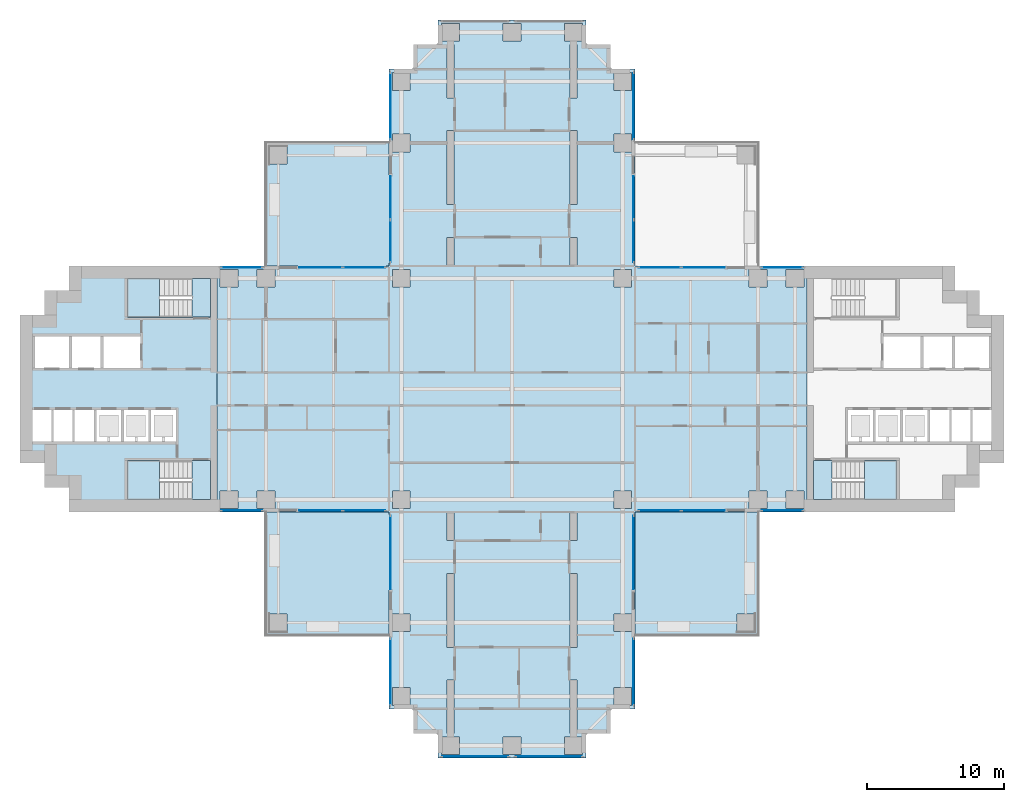
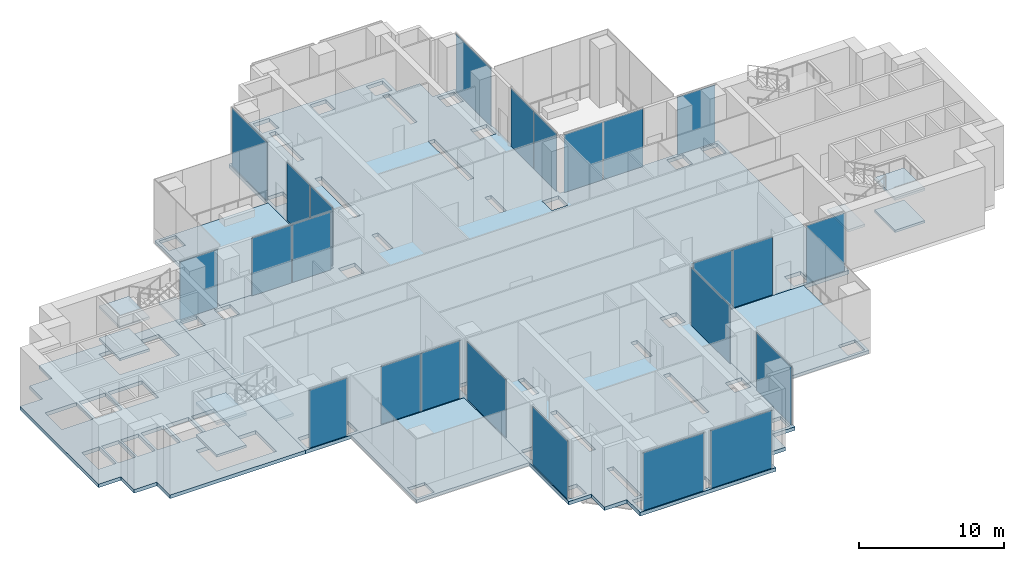
# One storey, part 5 of 17: 24 plates, 14 slabs, 21 elements without a shape of their own.
"""IFC4 building model written with IfcOpenShell, lengths in metres."""

from ifc_helpers import new_model, si_unit, direction, frame, origin, origin_2d, place, context, subcontext, project, spatial, polyline, rectangle, outline, extrude, material, layer, layer_set, type_object, element, aggregate, save


model = new_model("IFC4")

# Units and contexts
model_context = context("Model", 3, precision=1e-05, world=origin(), true_north=direction((0.0, 1.0)))
body_context = subcontext(model_context, "Body", "Model", "MODEL_VIEW")
ifc_project = project(units=[si_unit("LENGTHUNIT", "METRE"), si_unit("AREAUNIT", "SQUARE_METRE"), si_unit("VOLUMEUNIT", "CUBIC_METRE"), si_unit("PLANEANGLEUNIT", "RADIAN"), si_unit("MASSUNIT", "GRAM", prefix="KILO")], contexts=[model_context])

# Site, building, storey
site_placement = place(None, origin())
site = spatial("IfcSite", under=ifc_project, at=site_placement, CompositionType="ELEMENT")
building_placement = place(site_placement, origin())
building = spatial("IfcBuilding", under=site, at=building_placement, Name="Perihelion Cross Residences", CompositionType="ELEMENT")
storey_placement = place(building_placement, frame((0.0, 0.0, 92.5)))
storey = spatial("IfcBuildingStorey", under=building, at=storey_placement, Name="L21", CompositionType="ELEMENT", Elevation=92.5)

# Curtain wall, plate
ifc_material_1 = material(Name="Bronze anodised aluminium, tinted glazing", Category="aluminium")
curtain_wall_type = type_object("IfcCurtainWallType", Name="CW3", PredefinedType="NOTDEFINED", material=ifc_material_1)
curtain_wall_1_placement = place(storey_placement, origin())
curtain_wall_1 = element("IfcCurtainWall", 1, at=curtain_wall_1_placement, inside=storey, type_object=curtain_wall_type, Name="Curtain wall CW3 L21 east side north bay 1", PredefinedType="NOTDEFINED")
ifc_material_2 = material(Name="Tinted laminated glass", Category="glass")
ifc_layer_1 = layer(ifc_material_2, 0.035888671875)
ifc_layer_set_1 = layer_set([ifc_layer_1], Name="CW3 panel")
plate_type = type_object("IfcPlateType", Name="CW3 panel", PredefinedType="CURTAIN_PANEL", material=ifc_layer_set_1)
plate_1_placement = place(storey_placement, frame((19.77490234375, 8.89990234375, 0.0), z_axis=(0.0, 0.0, 1.0), x_axis=(-1.0, 0.0, 0.0)))
plate_1 = element("IfcPlate", 2, at=plate_1_placement, type_object=plate_type, Name="CW3 panel 1", PredefinedType="CURTAIN_PANEL", context=body_context, shape_type="SweptSolid", body=[
    extrude(rectangle(XDim=2.989990234375, YDim=0.035888671875, at=origin_2d()), origin(), (0.0, 0.0, 1.0), 4.8701171875),
])
aggregate(curtain_wall_1, [plate_1])

# Curtain wall, plates
curtain_wall_2_placement = place(storey_placement, origin())
curtain_wall_2 = element("IfcCurtainWall", 3, at=curtain_wall_2_placement, inside=storey, type_object=curtain_wall_type, Name="Curtain wall CW3 L21 east side north bay 2", PredefinedType="NOTDEFINED")
plate_2_placement = place(storey_placement, frame((13.982421875, 8.89990234375, 0.0), z_axis=(0.0, 0.0, 1.0), x_axis=(-1.0, 0.0, 0.0)))
plate_2 = element("IfcPlate", 4, at=plate_2_placement, type_object=plate_type, Name="CW3 panel 1", PredefinedType="CURTAIN_PANEL", context=body_context, shape_type="SweptSolid", body=[
    extrude(rectangle(XDim=3.135009765625, YDim=0.035888671875, at=origin_2d()), origin(), (0.0, 0.0, 1.0), 4.8701171875),
])
plate_3_placement = place(storey_placement, frame((10.8076171875, 8.89990234375, 0.0), z_axis=(0.0, 0.0, 1.0), x_axis=(-1.0, 0.0, 0.0)))
plate_3 = element("IfcPlate", 5, at=plate_3_placement, type_object=plate_type, Name="CW3 panel 2", PredefinedType="CURTAIN_PANEL", context=body_context, shape_type="SweptSolid", body=[
    extrude(rectangle(XDim=3.054931640625, YDim=0.035888671875, at=origin_2d()), origin(), (0.0, 0.0, 1.0), 4.8701171875),
])
aggregate(curtain_wall_2, [plate_2, plate_3])

curtain_wall_3_placement = place(storey_placement, origin())
curtain_wall_3 = element("IfcCurtainWall", 6, at=curtain_wall_3_placement, inside=storey, type_object=curtain_wall_type, Name="Curtain wall CW3 L21 north side east bay 1", PredefinedType="NOTDEFINED")
plate_4_placement = place(storey_placement, frame((8.89990234375, 10.8076171875, 0.0), z_axis=(0.0, 0.0, 1.0), x_axis=(0.0, 1.0, 0.0)))
plate_4 = element("IfcPlate", 7, at=plate_4_placement, type_object=plate_type, Name="CW3 panel 1", PredefinedType="CURTAIN_PANEL", context=body_context, shape_type="SweptSolid", body=[
    extrude(rectangle(XDim=3.054931640625, YDim=0.035888671875, at=origin_2d()), origin(), (0.0, 0.0, 1.0), 4.8701171875),
])
plate_5_placement = place(storey_placement, frame((8.89990234375, 13.982421875, 0.0), z_axis=(0.0, 0.0, 1.0), x_axis=(0.0, 1.0, 0.0)))
plate_5 = element("IfcPlate", 8, at=plate_5_placement, type_object=plate_type, Name="CW3 panel 2", PredefinedType="CURTAIN_PANEL", context=body_context, shape_type="SweptSolid", body=[
    extrude(rectangle(XDim=3.135009765625, YDim=0.035888671875, at=origin_2d()), origin(), (0.0, 0.0, 1.0), 4.8701171875),
])
aggregate(curtain_wall_3, [plate_4, plate_5])

# Curtain wall, plate
curtain_wall_4_placement = place(storey_placement, origin())
curtain_wall_4 = element("IfcCurtainWall", 9, at=curtain_wall_4_placement, inside=storey, type_object=curtain_wall_type, Name="Curtain wall CW3 L21 north side east bay 2", PredefinedType="NOTDEFINED")
plate_6_placement = place(storey_placement, frame((8.89990234375, 20.699951171875, 0.0), z_axis=(0.0, 0.0, 1.0), x_axis=(0.0, 1.0, 0.0)))
plate_6 = element("IfcPlate", 10, at=plate_6_placement, type_object=plate_type, Name="CW3 panel 1", PredefinedType="CURTAIN_PANEL", context=body_context, shape_type="SweptSolid", body=[
    extrude(rectangle(XDim=4.840087890625, YDim=0.035888671875, at=origin_2d()), origin(), (0.0, 0.0, 1.0), 4.8701171875),
])
aggregate(curtain_wall_4, [plate_6])

curtain_wall_5_placement = place(storey_placement, origin())
curtain_wall_5 = element("IfcCurtainWall", 11, at=curtain_wall_5_placement, inside=storey, type_object=curtain_wall_type, Name="Curtain wall CW3 L21 north side west bay 1", PredefinedType="NOTDEFINED")
plate_7_placement = place(storey_placement, frame((-8.89990234375, 20.699951171875, 0.0), z_axis=(0.0, 0.0, 1.0), x_axis=(0.0, -1.0, 0.0)))
plate_7 = element("IfcPlate", 12, at=plate_7_placement, type_object=plate_type, Name="CW3 panel 1", PredefinedType="CURTAIN_PANEL", context=body_context, shape_type="SweptSolid", body=[
    extrude(rectangle(XDim=4.840087890625, YDim=0.035888671875, at=origin_2d()), origin(), (0.0, 0.0, 1.0), 4.8701171875),
])
aggregate(curtain_wall_5, [plate_7])

# Curtain wall, plates
curtain_wall_6_placement = place(storey_placement, origin())
curtain_wall_6 = element("IfcCurtainWall", 13, at=curtain_wall_6_placement, inside=storey, type_object=curtain_wall_type, Name="Curtain wall CW3 L21 north side west bay 2", PredefinedType="NOTDEFINED")
plate_8_placement = place(storey_placement, frame((-8.89990234375, 13.982421875, 0.0), z_axis=(0.0, 0.0, 1.0), x_axis=(0.0, -1.0, 0.0)))
plate_8 = element("IfcPlate", 14, at=plate_8_placement, type_object=plate_type, Name="CW3 panel 1", PredefinedType="CURTAIN_PANEL", context=body_context, shape_type="SweptSolid", body=[
    extrude(rectangle(XDim=3.135009765625, YDim=0.035888671875, at=origin_2d()), origin(), (0.0, 0.0, 1.0), 4.8701171875),
])
plate_9_placement = place(storey_placement, frame((-8.89990234375, 10.8076171875, 0.0), z_axis=(0.0, 0.0, 1.0), x_axis=(0.0, -1.0, 0.0)))
plate_9 = element("IfcPlate", 15, at=plate_9_placement, type_object=plate_type, Name="CW3 panel 2", PredefinedType="CURTAIN_PANEL", context=body_context, shape_type="SweptSolid", body=[
    extrude(rectangle(XDim=3.054931640625, YDim=0.035888671875, at=origin_2d()), origin(), (0.0, 0.0, 1.0), 4.8701171875),
])
aggregate(curtain_wall_6, [plate_8, plate_9])

curtain_wall_7_placement = place(storey_placement, origin())
curtain_wall_7 = element("IfcCurtainWall", 16, at=curtain_wall_7_placement, inside=storey, type_object=curtain_wall_type, Name="Curtain wall CW3 L21 west side north bay 1", PredefinedType="NOTDEFINED")
plate_10_placement = place(storey_placement, frame((-10.8076171875, 8.89990234375, 0.0), z_axis=(0.0, 0.0, 1.0), x_axis=(-1.0, 0.0, 0.0)))
plate_10 = element("IfcPlate", 17, at=plate_10_placement, type_object=plate_type, Name="CW3 panel 1", PredefinedType="CURTAIN_PANEL", context=body_context, shape_type="SweptSolid", body=[
    extrude(rectangle(XDim=3.054931640625, YDim=0.035888671875, at=origin_2d()), origin(), (0.0, 0.0, 1.0), 4.8701171875),
])
plate_11_placement = place(storey_placement, frame((-13.982421875, 8.89990234375, 0.0), z_axis=(0.0, 0.0, 1.0), x_axis=(-1.0, 0.0, 0.0)))
plate_11 = element("IfcPlate", 18, at=plate_11_placement, type_object=plate_type, Name="CW3 panel 2", PredefinedType="CURTAIN_PANEL", context=body_context, shape_type="SweptSolid", body=[
    extrude(rectangle(XDim=3.135009765625, YDim=0.035888671875, at=origin_2d()), origin(), (0.0, 0.0, 1.0), 4.8701171875),
])
aggregate(curtain_wall_7, [plate_10, plate_11])

# Curtain wall, plate
curtain_wall_8_placement = place(storey_placement, origin())
curtain_wall_8 = element("IfcCurtainWall", 19, at=curtain_wall_8_placement, inside=storey, type_object=curtain_wall_type, Name="Curtain wall CW3 L21 west side north bay 2", PredefinedType="NOTDEFINED")
plate_12_placement = place(storey_placement, frame((-19.77490234375, 8.89990234375, 0.0), z_axis=(0.0, 0.0, 1.0), x_axis=(-1.0, 0.0, 0.0)))
plate_12 = element("IfcPlate", 20, at=plate_12_placement, type_object=plate_type, Name="CW3 panel 1", PredefinedType="CURTAIN_PANEL", context=body_context, shape_type="SweptSolid", body=[
    extrude(rectangle(XDim=2.989990234375, YDim=0.035888671875, at=origin_2d()), origin(), (0.0, 0.0, 1.0), 4.8701171875),
])
aggregate(curtain_wall_8, [plate_12])

curtain_wall_9_placement = place(storey_placement, origin())
curtain_wall_9 = element("IfcCurtainWall", 21, at=curtain_wall_9_placement, inside=storey, type_object=curtain_wall_type, Name="Curtain wall CW3 L21 west side south bay 1", PredefinedType="NOTDEFINED")
plate_13_placement = place(storey_placement, frame((-19.77490234375, -8.89990234375, 0.0), z_axis=(0.0, 0.0, 1.0), x_axis=(1.0, 0.0, 0.0)))
plate_13 = element("IfcPlate", 22, at=plate_13_placement, type_object=plate_type, Name="CW3 panel 1", PredefinedType="CURTAIN_PANEL", context=body_context, shape_type="SweptSolid", body=[
    extrude(rectangle(XDim=2.989990234375, YDim=0.035888671875, at=origin_2d()), origin(), (0.0, 0.0, 1.0), 4.8701171875),
])
aggregate(curtain_wall_9, [plate_13])

# Curtain wall, plates
curtain_wall_10_placement = place(storey_placement, origin())
curtain_wall_10 = element("IfcCurtainWall", 23, at=curtain_wall_10_placement, inside=storey, type_object=curtain_wall_type, Name="Curtain wall CW3 L21 west side south bay 2", PredefinedType="NOTDEFINED")
plate_14_placement = place(storey_placement, frame((-13.982421875, -8.89990234375, 0.0), z_axis=(0.0, 0.0, 1.0), x_axis=(1.0, 0.0, 0.0)))
plate_14 = element("IfcPlate", 24, at=plate_14_placement, type_object=plate_type, Name="CW3 panel 1", PredefinedType="CURTAIN_PANEL", context=body_context, shape_type="SweptSolid", body=[
    extrude(rectangle(XDim=3.135009765625, YDim=0.035888671875, at=origin_2d()), origin(), (0.0, 0.0, 1.0), 4.8701171875),
])
plate_15_placement = place(storey_placement, frame((-10.8076171875, -8.89990234375, 0.0), z_axis=(0.0, 0.0, 1.0), x_axis=(1.0, 0.0, 0.0)))
plate_15 = element("IfcPlate", 25, at=plate_15_placement, type_object=plate_type, Name="CW3 panel 2", PredefinedType="CURTAIN_PANEL", context=body_context, shape_type="SweptSolid", body=[
    extrude(rectangle(XDim=3.054931640625, YDim=0.035888671875, at=origin_2d()), origin(), (0.0, 0.0, 1.0), 4.8701171875),
])
aggregate(curtain_wall_10, [plate_14, plate_15])

# Curtain wall, plate
curtain_wall_11_placement = place(storey_placement, origin())
curtain_wall_11 = element("IfcCurtainWall", 26, at=curtain_wall_11_placement, inside=storey, type_object=curtain_wall_type, Name="Curtain wall CW3 L21 south side west bay 1", PredefinedType="NOTDEFINED")
plate_16_placement = place(storey_placement, frame((-8.89990234375, -11.965087890625, 0.0), z_axis=(0.0, 0.0, 1.0), x_axis=(0.0, -1.0, 0.0)))
plate_16 = element("IfcPlate", 27, at=plate_16_placement, type_object=plate_type, Name="CW3 panel 1", PredefinedType="CURTAIN_PANEL", context=body_context, shape_type="SweptSolid", body=[
    extrude(rectangle(XDim=5.3701171875, YDim=0.035888671875, at=origin_2d()), origin(), (0.0, 0.0, 1.0), 4.8701171875),
])
aggregate(curtain_wall_11, [plate_16])

curtain_wall_12_placement = place(storey_placement, origin())
curtain_wall_12 = element("IfcCurtainWall", 28, at=curtain_wall_12_placement, inside=storey, type_object=curtain_wall_type, Name="Curtain wall CW3 L21 south side west bay 2", PredefinedType="NOTDEFINED")
plate_17_placement = place(storey_placement, frame((-8.89990234375, -20.699951171875, 0.0), z_axis=(0.0, 0.0, 1.0), x_axis=(0.0, -1.0, 0.0)))
plate_17 = element("IfcPlate", 29, at=plate_17_placement, type_object=plate_type, Name="CW3 panel 1", PredefinedType="CURTAIN_PANEL", context=body_context, shape_type="SweptSolid", body=[
    extrude(rectangle(XDim=4.840087890625, YDim=0.035888671875, at=origin_2d()), origin(), (0.0, 0.0, 1.0), 4.8701171875),
])
aggregate(curtain_wall_12, [plate_17])

curtain_wall_13_placement = place(storey_placement, origin())
curtain_wall_13 = element("IfcCurtainWall", 30, at=curtain_wall_13_placement, inside=storey, type_object=curtain_wall_type, Name="Curtain wall CW3 L21 south tip south bay 1", PredefinedType="NOTDEFINED")
plate_18_placement = place(storey_placement, frame((-2.699951171875, -26.89990234375, 0.0), z_axis=(0.0, 0.0, 1.0), x_axis=(1.0, 0.0, 0.0)))
plate_18 = element("IfcPlate", 31, at=plate_18_placement, type_object=plate_type, Name="CW3 panel 1", PredefinedType="CURTAIN_PANEL", context=body_context, shape_type="SweptSolid", body=[
    extrude(rectangle(XDim=4.840087890625, YDim=0.035888671875, at=origin_2d()), origin(), (0.0, 0.0, 1.0), 4.8701171875),
])
aggregate(curtain_wall_13, [plate_18])

curtain_wall_14_placement = place(storey_placement, origin())
curtain_wall_14 = element("IfcCurtainWall", 32, at=curtain_wall_14_placement, inside=storey, type_object=curtain_wall_type, Name="Curtain wall CW3 L21 south tip south bay 2", PredefinedType="NOTDEFINED")
plate_19_placement = place(storey_placement, frame((2.699951171875, -26.89990234375, 0.0), z_axis=(0.0, 0.0, 1.0), x_axis=(1.0, 0.0, 0.0)))
plate_19 = element("IfcPlate", 33, at=plate_19_placement, type_object=plate_type, Name="CW3 panel 1", PredefinedType="CURTAIN_PANEL", context=body_context, shape_type="SweptSolid", body=[
    extrude(rectangle(XDim=4.840087890625, YDim=0.035888671875, at=origin_2d()), origin(), (0.0, 0.0, 1.0), 4.8701171875),
])
aggregate(curtain_wall_14, [plate_19])

curtain_wall_15_placement = place(storey_placement, origin())
curtain_wall_15 = element("IfcCurtainWall", 34, at=curtain_wall_15_placement, inside=storey, type_object=curtain_wall_type, Name="Curtain wall CW3 L21 south side east bay 1", PredefinedType="NOTDEFINED")
plate_20_placement = place(storey_placement, frame((8.89990234375, -20.699951171875, 0.0), z_axis=(0.0, 0.0, 1.0), x_axis=(0.0, 1.0, 0.0)))
plate_20 = element("IfcPlate", 35, at=plate_20_placement, type_object=plate_type, Name="CW3 panel 1", PredefinedType="CURTAIN_PANEL", context=body_context, shape_type="SweptSolid", body=[
    extrude(rectangle(XDim=4.840087890625, YDim=0.035888671875, at=origin_2d()), origin(), (0.0, 0.0, 1.0), 4.8701171875),
])
aggregate(curtain_wall_15, [plate_20])

curtain_wall_16_placement = place(storey_placement, origin())
curtain_wall_16 = element("IfcCurtainWall", 36, at=curtain_wall_16_placement, inside=storey, type_object=curtain_wall_type, Name="Curtain wall CW3 L21 south side east bay 2", PredefinedType="NOTDEFINED")
plate_21_placement = place(storey_placement, frame((8.89990234375, -11.965087890625, 0.0), z_axis=(0.0, 0.0, 1.0), x_axis=(0.0, 1.0, 0.0)))
plate_21 = element("IfcPlate", 37, at=plate_21_placement, type_object=plate_type, Name="CW3 panel 1", PredefinedType="CURTAIN_PANEL", context=body_context, shape_type="SweptSolid", body=[
    extrude(rectangle(XDim=5.3701171875, YDim=0.035888671875, at=origin_2d()), origin(), (0.0, 0.0, 1.0), 4.8701171875),
])
aggregate(curtain_wall_16, [plate_21])

# Curtain wall, plates
curtain_wall_17_placement = place(storey_placement, origin())
curtain_wall_17 = element("IfcCurtainWall", 38, at=curtain_wall_17_placement, inside=storey, type_object=curtain_wall_type, Name="Curtain wall CW3 L21 east side south bay 1", PredefinedType="NOTDEFINED")
plate_22_placement = place(storey_placement, frame((10.8076171875, -8.89990234375, 0.0), z_axis=(0.0, 0.0, 1.0), x_axis=(1.0, 0.0, 0.0)))
plate_22 = element("IfcPlate", 39, at=plate_22_placement, type_object=plate_type, Name="CW3 panel 1", PredefinedType="CURTAIN_PANEL", context=body_context, shape_type="SweptSolid", body=[
    extrude(rectangle(XDim=3.054931640625, YDim=0.035888671875, at=origin_2d()), origin(), (0.0, 0.0, 1.0), 4.8701171875),
])
plate_23_placement = place(storey_placement, frame((13.982421875, -8.89990234375, 0.0), z_axis=(0.0, 0.0, 1.0), x_axis=(1.0, 0.0, 0.0)))
plate_23 = element("IfcPlate", 40, at=plate_23_placement, type_object=plate_type, Name="CW3 panel 2", PredefinedType="CURTAIN_PANEL", context=body_context, shape_type="SweptSolid", body=[
    extrude(rectangle(XDim=3.135009765625, YDim=0.035888671875, at=origin_2d()), origin(), (0.0, 0.0, 1.0), 4.8701171875),
])
aggregate(curtain_wall_17, [plate_22, plate_23])

# Curtain wall, plate
curtain_wall_18_placement = place(storey_placement, origin())
curtain_wall_18 = element("IfcCurtainWall", 41, at=curtain_wall_18_placement, inside=storey, type_object=curtain_wall_type, Name="Curtain wall CW3 L21 east side south bay 2", PredefinedType="NOTDEFINED")
plate_24_placement = place(storey_placement, frame((19.77490234375, -8.89990234375, 0.0), z_axis=(0.0, 0.0, 1.0), x_axis=(1.0, 0.0, 0.0)))
plate_24 = element("IfcPlate", 42, at=plate_24_placement, type_object=plate_type, Name="CW3 panel 1", PredefinedType="CURTAIN_PANEL", context=body_context, shape_type="SweptSolid", body=[
    extrude(rectangle(XDim=2.989990234375, YDim=0.035888671875, at=origin_2d()), origin(), (0.0, 0.0, 1.0), 4.8701171875),
])
aggregate(curtain_wall_18, [plate_24])

# Slabs
ifc_material_3 = material(Name="Concrete C40/50", Category="concrete")
ifc_layer_2 = layer(ifc_material_3, 0.300048828125)
ifc_layer_set_2 = layer_set([ifc_layer_2], Name="Core floor slab 300")
slab_type_1 = type_object("IfcSlabType", Name="Core floor slab 300", PredefinedType="FLOOR", material=ifc_layer_set_2)
slab_1_placement = place(storey_placement, frame((0.0, 0.0, -0.300048828125)))
element("IfcSlab", 43, at=slab_1_placement, inside=storey, type_object=slab_type_1, Name="West core floor slab", PredefinedType="FLOOR", context=body_context, shape_type="SweptSolid", body=[
    extrude(outline(polyline([(-32.39990234375, 7.199951171875), (-34.199951171875, 7.199951171875), (-34.199951171875, 5.39990234375), (-36.0, 5.39990234375), (-36.0, -5.39990234375), (-34.199951171875, -5.39990234375), (-34.199951171875, -7.199951171875), (-32.39990234375, -7.199951171875), (-32.39990234375, -9.0), (-21.60009765625, -9.0), (-21.60009765625, 9.0), (-32.39990234375, 9.0), (-32.39990234375, 7.199951171875)]), holes=[polyline([(-23.405029296875, -8.10009765625), (-28.14990234375, -8.10009765625), (-28.14990234375, -5.25), (-23.405029296875, -5.25), (-23.405029296875, -8.10009765625)]), polyline([(-24.60009765625, -1.550048828125), (-24.60009765625, -3.85009765625), (-26.39990234375, -3.85009765625), (-26.39990234375, -1.550048828125), (-24.60009765625, -1.550048828125)]), polyline([(-26.60009765625, -1.550048828125), (-26.60009765625, -3.85009765625), (-28.39990234375, -3.85009765625), (-28.39990234375, -1.550048828125), (-26.60009765625, -1.550048828125)]), polyline([(-30.39990234375, -1.550048828125), (-28.60009765625, -1.550048828125), (-28.60009765625, -3.85009765625), (-30.39990234375, -3.85009765625), (-30.39990234375, -1.550048828125)]), polyline([(-29.89990234375, 3.85009765625), (-27.199951171875, 3.85009765625), (-27.199951171875, 1.550048828125), (-29.89990234375, 1.550048828125), (-29.89990234375, 3.85009765625)]), polyline([(-23.405029296875, 5.25), (-28.14990234375, 5.25), (-28.14990234375, 8.10009765625), (-23.405029296875, 8.10009765625), (-23.405029296875, 5.25)]), polyline([(-32.0, -1.550048828125), (-30.60009765625, -1.550048828125), (-30.60009765625, -3.85009765625), (-32.0, -3.85009765625), (-32.0, -1.550048828125)]), polyline([(-33.550048828125, -1.550048828125), (-32.14990234375, -1.550048828125), (-32.14990234375, -3.85009765625), (-33.550048828125, -3.85009765625), (-33.550048828125, -1.550048828125)]), polyline([(-33.699951171875, -1.550048828125), (-33.699951171875, -3.85009765625), (-35.10009765625, -3.85009765625), (-35.10009765625, -1.550048828125), (-33.699951171875, -1.550048828125)]), polyline([(-32.199951171875, 3.85009765625), (-30.10009765625, 3.85009765625), (-30.10009765625, 1.550048828125), (-32.199951171875, 1.550048828125), (-32.199951171875, 3.85009765625)]), polyline([(-34.89990234375, 3.85009765625), (-32.39990234375, 3.85009765625), (-32.39990234375, 1.550048828125), (-34.89990234375, 1.550048828125), (-34.89990234375, 3.85009765625)])]), origin(), (0.0, 0.0, 1.0), 0.300048828125),
])
ifc_material_4 = material(Name="Concrete C40/50", Category="concrete")
ifc_layer_3 = layer(ifc_material_4, 0.25)
ifc_layer_set_3 = layer_set([ifc_layer_3], Name="Corner terrace slab")
slab_type_2 = type_object("IfcSlabType", Name="Corner terrace slab", PredefinedType="FLOOR", material=ifc_layer_set_3)
slab_2_placement = place(storey_placement, frame((0.0, 0.0, -0.25)))
element("IfcSlab", 44, at=slab_2_placement, inside=storey, type_object=slab_type_2, Name="Slab BK2 L21 pocket north-west", PredefinedType="FLOOR", context=body_context, shape_type="SweptSolid", body=[
    extrude(outline(polyline([(-9.0, 9.0), (-9.0, 18.0), (-18.0, 18.0), (-18.0, 9.0), (-9.0, 9.0)]), holes=[polyline([(-17.7900390625, 16.409912109375), (-17.7900390625, 17.7900390625), (-16.449951171875, 17.7900390625), (-16.449951171875, 16.449951171875), (-17.75, 16.449951171875), (-17.75, 16.409912109375), (-17.7900390625, 16.409912109375)])]), origin(), (0.0, 0.0, 1.0), 0.25),
])
slab_3_placement = place(storey_placement, frame((0.0, 0.0, -0.25)))
element("IfcSlab", 45, at=slab_3_placement, inside=storey, type_object=slab_type_2, Name="Slab BK2 L21 pocket south-west", PredefinedType="FLOOR", context=body_context, shape_type="SweptSolid", body=[
    extrude(outline(polyline([(-9.0, -18.0), (-9.0, -9.0), (-18.0, -9.0), (-18.0, -18.0), (-9.0, -18.0)]), holes=[polyline([(-17.7900390625, -16.409912109375), (-17.75, -16.409912109375), (-17.75, -16.449951171875), (-16.449951171875, -16.449951171875), (-16.449951171875, -17.7900390625), (-17.7900390625, -17.7900390625), (-17.7900390625, -16.409912109375)])]), origin(), (0.0, 0.0, 1.0), 0.25),
])
slab_4_placement = place(storey_placement, frame((0.0, 0.0, -0.25)))
element("IfcSlab", 46, at=slab_4_placement, inside=storey, type_object=slab_type_2, Name="Slab BK2 L21 pocket south-east", PredefinedType="FLOOR", context=body_context, shape_type="SweptSolid", body=[
    extrude(outline(polyline([(18.0, -18.0), (18.0, -9.0), (9.0, -9.0), (9.0, -18.0), (18.0, -18.0)]), holes=[polyline([(16.449951171875, -17.7900390625), (16.449951171875, -16.449951171875), (17.75, -16.449951171875), (17.75, -16.409912109375), (17.7900390625, -16.409912109375), (17.7900390625, -17.7900390625), (16.449951171875, -17.7900390625)])]), origin(), (0.0, 0.0, 1.0), 0.25),
])

# Stair, slabs
ifc_material_5 = material(Name="Concrete C40/50", Category="concrete")
stair_type = type_object("IfcStairType", Name="Exit stair, half-turn", PredefinedType="HALF_TURN_STAIR", material=ifc_material_5)
stair_1_placement = place(storey_placement, origin())
stair_1 = element("IfcStair", 47, at=stair_1_placement, inside=storey, type_object=stair_type, Name="L21 East core exit stair 2", PredefinedType="HALF_TURN_STAIR")
ifc_material_6 = material(Name="Concrete C40/50", Category="concrete")
ifc_layer_4 = layer(ifc_material_6, 0.199951171875)
ifc_layer_set_4 = layer_set([ifc_layer_4], Name="Exit stair landing 200")
slab_type_3 = type_object("IfcSlabType", Name="Exit stair landing 200", PredefinedType="LANDING", material=ifc_layer_set_4)
slab_5_placement = place(storey_placement, frame((0.0, 0.0, 1.14990234375)))
slab_5 = element("IfcSlab", 48, at=slab_5_placement, type_object=slab_type_3, Name="ST-E2 landing 1", PredefinedType="LANDING", context=body_context, shape_type="SweptSolid", body=[
    extrude(outline(polyline([(25.780029296875, -8.10009765625), (28.14990234375, -8.10009765625), (28.14990234375, -5.25), (25.780029296875, -5.25), (25.780029296875, -8.10009765625)])), origin(), (0.0, 0.0, 1.0), 0.2001953125),
])
slab_6_placement = place(storey_placement, frame((0.0, 0.0, 2.5)))
slab_6 = element("IfcSlab", 49, at=slab_6_placement, type_object=slab_type_3, Name="ST-E2 landing 2", PredefinedType="LANDING", context=body_context, shape_type="SweptSolid", body=[
    extrude(outline(polyline([(22.050048828125, -8.10009765625), (23.39990234375, -8.10009765625), (23.39990234375, -5.25), (22.050048828125, -5.25), (22.050048828125, -8.10009765625)])), origin(), (0.0, 0.0, 1.0), 0.199951171875),
])
slab_7_placement = place(storey_placement, frame((0.0, 0.0, 3.85009765625)))
slab_7 = element("IfcSlab", 50, at=slab_7_placement, type_object=slab_type_3, Name="ST-E2 landing 3", PredefinedType="LANDING", context=body_context, shape_type="SweptSolid", body=[
    extrude(outline(polyline([(25.780029296875, -8.10009765625), (28.14990234375, -8.10009765625), (28.14990234375, -5.25), (25.780029296875, -5.25), (25.780029296875, -8.10009765625)])), origin(), (0.0, 0.0, 1.0), 0.199951171875),
])
aggregate(stair_1, [slab_5, slab_6, slab_7])

stair_2_placement = place(storey_placement, origin())
stair_2 = element("IfcStair", 51, at=stair_2_placement, inside=storey, type_object=stair_type, Name="L21 West core exit stair 1", PredefinedType="HALF_TURN_STAIR")
slab_8_placement = place(storey_placement, frame((0.0, 0.0, 1.14990234375)))
slab_8 = element("IfcSlab", 52, at=slab_8_placement, type_object=slab_type_3, Name="ST-W1 landing 1", PredefinedType="LANDING", context=body_context, shape_type="SweptSolid", body=[
    extrude(outline(polyline([(-25.780029296875, 8.10009765625), (-28.14990234375, 8.10009765625), (-28.14990234375, 5.25), (-25.780029296875, 5.25), (-25.780029296875, 8.10009765625)])), origin(), (0.0, 0.0, 1.0), 0.2001953125),
])
slab_9_placement = place(storey_placement, frame((0.0, 0.0, 2.5)))
slab_9 = element("IfcSlab", 53, at=slab_9_placement, type_object=slab_type_3, Name="ST-W1 landing 2", PredefinedType="LANDING", context=body_context, shape_type="SweptSolid", body=[
    extrude(outline(polyline([(-22.050048828125, 8.10009765625), (-23.39990234375, 8.10009765625), (-23.39990234375, 5.25), (-22.050048828125, 5.25), (-22.050048828125, 8.10009765625)])), origin(), (0.0, 0.0, 1.0), 0.199951171875),
])
slab_10_placement = place(storey_placement, frame((0.0, 0.0, 3.85009765625)))
slab_10 = element("IfcSlab", 54, at=slab_10_placement, type_object=slab_type_3, Name="ST-W1 landing 3", PredefinedType="LANDING", context=body_context, shape_type="SweptSolid", body=[
    extrude(outline(polyline([(-25.780029296875, 8.10009765625), (-28.14990234375, 8.10009765625), (-28.14990234375, 5.25), (-25.780029296875, 5.25), (-25.780029296875, 8.10009765625)])), origin(), (0.0, 0.0, 1.0), 0.199951171875),
])
aggregate(stair_2, [slab_8, slab_9, slab_10])

stair_3_placement = place(storey_placement, origin())
stair_3 = element("IfcStair", 55, at=stair_3_placement, inside=storey, type_object=stair_type, Name="L21 West core exit stair 2", PredefinedType="HALF_TURN_STAIR")
slab_11_placement = place(storey_placement, frame((0.0, 0.0, 1.14990234375)))
slab_11 = element("IfcSlab", 56, at=slab_11_placement, type_object=slab_type_3, Name="ST-W2 landing 1", PredefinedType="LANDING", context=body_context, shape_type="SweptSolid", body=[
    extrude(outline(polyline([(-25.780029296875, -5.25), (-28.14990234375, -5.25), (-28.14990234375, -8.10009765625), (-25.780029296875, -8.10009765625), (-25.780029296875, -5.25)])), origin(), (0.0, 0.0, 1.0), 0.2001953125),
])
slab_12_placement = place(storey_placement, frame((0.0, 0.0, 2.5)))
slab_12 = element("IfcSlab", 57, at=slab_12_placement, type_object=slab_type_3, Name="ST-W2 landing 2", PredefinedType="LANDING", context=body_context, shape_type="SweptSolid", body=[
    extrude(outline(polyline([(-22.050048828125, -5.25), (-23.39990234375, -5.25), (-23.39990234375, -8.10009765625), (-22.050048828125, -8.10009765625), (-22.050048828125, -5.25)])), origin(), (0.0, 0.0, 1.0), 0.199951171875),
])
slab_13_placement = place(storey_placement, frame((0.0, 0.0, 3.85009765625)))
slab_13 = element("IfcSlab", 58, at=slab_13_placement, type_object=slab_type_3, Name="ST-W2 landing 3", PredefinedType="LANDING", context=body_context, shape_type="SweptSolid", body=[
    extrude(outline(polyline([(-25.780029296875, -5.25), (-28.14990234375, -5.25), (-28.14990234375, -8.10009765625), (-25.780029296875, -8.10009765625), (-25.780029296875, -5.25)])), origin(), (0.0, 0.0, 1.0), 0.199951171875),
])
aggregate(stair_3, [slab_11, slab_12, slab_13])

# Slab
ifc_material_7 = material(Name="Concrete C50/60", Category="concrete")
ifc_layer_5 = layer(ifc_material_7, 0.300048828125)
ifc_layer_set_5 = layer_set([ifc_layer_5], Name="Sky floor post-tensioned slab concrete C50/60")
slab_type_4 = type_object("IfcSlabType", Name="Sky floor post-tensioned slab concrete C50/60", PredefinedType="FLOOR", material=ifc_layer_set_5)
slab_14_placement = place(storey_placement, frame((0.0, 0.0, -0.300048828125)))
element("IfcSlab", 59, at=slab_14_placement, inside=storey, type_object=slab_type_4, Name="Slab SL9 L21 1 no. 1", PredefinedType="FLOOR", context=body_context, shape_type="SweptSolid", body=[
    extrude(outline(polyline([(-9.0, 9.0), (-9.0, 23.39990234375), (-7.199951171875, 23.39990234375), (-7.199951171875, 25.199951171875), (-5.39990234375, 25.199951171875), (-5.39990234375, 27.0), (5.39990234375, 27.0), (5.39990234375, 25.199951171875), (7.199951171875, 25.199951171875), (7.199951171875, 23.39990234375), (9.0, 23.39990234375), (9.0, 9.0), (21.60009765625, 9.0), (21.60009765625, -9.0), (9.0, -9.0), (9.0, -23.39990234375), (7.199951171875, -23.39990234375), (7.199951171875, -25.199951171875), (5.39990234375, -25.199951171875), (5.39990234375, -27.0), (-5.39990234375, -27.0), (-5.39990234375, -25.199951171875), (-7.199951171875, -25.199951171875), (-7.199951171875, -23.39990234375), (-9.0, -23.39990234375), (-9.0, -9.0), (-21.60009765625, -9.0), (-21.60009765625, 9.0), (-9.0, 9.0)]), holes=[polyline([(0.64990234375, -26.75), (0.64990234375, -25.449951171875), (-0.64990234375, -25.449951171875), (-0.64990234375, -26.75), (0.64990234375, -26.75)]), polyline([(-3.85009765625, -26.75), (-3.85009765625, -25.449951171875), (-5.14990234375, -25.449951171875), (-5.14990234375, -26.75), (-3.85009765625, -26.75)]), polyline([(-4.25, -25.199951171875), (-4.25, -21.300048828125), (-4.75, -21.300048828125), (-4.75, -25.199951171875), (-4.25, -25.199951171875)]), polyline([(-8.75, -23.14990234375), (-7.449951171875, -23.14990234375), (-7.449951171875, -21.85009765625), (-8.75, -21.85009765625), (-8.75, -23.14990234375)]), polyline([(-8.75, -17.75), (-7.449951171875, -17.75), (-7.449951171875, -16.449951171875), (-8.75, -16.449951171875), (-8.75, -17.75)]), polyline([(-4.25, -18.89990234375), (-4.25, -13.5), (-4.75, -13.5), (-4.75, -18.89990234375), (-4.25, -18.89990234375)]), polyline([(-4.25, -11.10009765625), (-4.25, -9.0), (-4.75, -9.0), (-4.75, -11.10009765625), (-4.25, -11.10009765625)]), polyline([(-7.449951171875, -8.75), (-7.449951171875, -7.449951171875), (-8.75, -7.449951171875), (-8.75, -8.75), (-7.449951171875, -8.75)]), polyline([(-18.64990234375, -8.75), (-17.35009765625, -8.75), (-17.35009765625, -7.449951171875), (-18.64990234375, -7.449951171875), (-18.64990234375, -8.75)]), polyline([(-21.35009765625, -8.75), (-20.050048828125, -8.75), (-20.050048828125, -7.449951171875), (-21.35009765625, -7.449951171875), (-21.35009765625, -8.75)]), polyline([(-17.35009765625, 7.449951171875), (-17.35009765625, 8.75), (-18.64990234375, 8.75), (-18.64990234375, 7.449951171875), (-17.35009765625, 7.449951171875)]), polyline([(-7.449951171875, 7.449951171875), (-7.449951171875, 8.75), (-8.75, 8.75), (-8.75, 7.449951171875), (-7.449951171875, 7.449951171875)]), polyline([(-21.35009765625, 7.449951171875), (-20.050048828125, 7.449951171875), (-20.050048828125, 8.75), (-21.35009765625, 8.75), (-21.35009765625, 7.449951171875)]), polyline([(-4.75, 9.0), (-4.25, 9.0), (-4.25, 11.10009765625), (-4.75, 11.10009765625), (-4.75, 9.0)]), polyline([(-4.25, 13.5), (-4.25, 18.89990234375), (-4.75, 18.89990234375), (-4.75, 13.5), (-4.25, 13.5)]), polyline([(-7.449951171875, 17.35009765625), (-7.449951171875, 18.64990234375), (-8.75, 18.64990234375), (-8.75, 17.35009765625), (-7.449951171875, 17.35009765625)]), polyline([(-7.449951171875, 21.85009765625), (-7.449951171875, 23.14990234375), (-8.75, 23.14990234375), (-8.75, 21.85009765625), (-7.449951171875, 21.85009765625)]), polyline([(-4.75, 21.300048828125), (-4.25, 21.300048828125), (-4.25, 25.199951171875), (-4.75, 25.199951171875), (-4.75, 21.300048828125)]), polyline([(-5.14990234375, 25.449951171875), (-3.85009765625, 25.449951171875), (-3.85009765625, 26.75), (-5.14990234375, 26.75), (-5.14990234375, 25.449951171875)]), polyline([(5.14990234375, -26.75), (5.14990234375, -25.449951171875), (3.85009765625, -25.449951171875), (3.85009765625, -26.75), (5.14990234375, -26.75)]), polyline([(4.75, -25.199951171875), (4.75, -21.300048828125), (4.25, -21.300048828125), (4.25, -25.199951171875), (4.75, -25.199951171875)]), polyline([(8.75, -23.14990234375), (8.75, -21.85009765625), (7.449951171875, -21.85009765625), (7.449951171875, -23.14990234375), (8.75, -23.14990234375)]), polyline([(7.449951171875, -17.75), (8.75, -17.75), (8.75, -16.449951171875), (7.449951171875, -16.449951171875), (7.449951171875, -17.75)]), polyline([(4.25, -18.89990234375), (4.75, -18.89990234375), (4.75, -13.5), (4.25, -13.5), (4.25, -18.89990234375)]), polyline([(4.75, -11.10009765625), (4.75, -9.0), (4.25, -9.0), (4.25, -11.10009765625), (4.75, -11.10009765625)]), polyline([(18.64990234375, -8.75), (18.64990234375, -7.449951171875), (17.35009765625, -7.449951171875), (17.35009765625, -8.75), (18.64990234375, -8.75)]), polyline([(21.35009765625, -8.75), (21.35009765625, -7.449951171875), (20.050048828125, -7.449951171875), (20.050048828125, -8.75), (21.35009765625, -8.75)]), polyline([(7.449951171875, -8.75), (8.75, -8.75), (8.75, -7.449951171875), (7.449951171875, -7.449951171875), (7.449951171875, -8.75)]), polyline([(21.35009765625, 7.449951171875), (21.35009765625, 8.75), (20.050048828125, 8.75), (20.050048828125, 7.449951171875), (21.35009765625, 7.449951171875)]), polyline([(8.75, 7.449951171875), (8.75, 8.75), (7.449951171875, 8.75), (7.449951171875, 7.449951171875), (8.75, 7.449951171875)]), polyline([(18.64990234375, 7.449951171875), (18.64990234375, 8.75), (17.35009765625, 8.75), (17.35009765625, 7.449951171875), (18.64990234375, 7.449951171875)]), polyline([(4.25, 9.0), (4.75, 9.0), (4.75, 11.10009765625), (4.25, 11.10009765625), (4.25, 9.0)]), polyline([(4.25, 13.5), (4.75, 13.5), (4.75, 18.89990234375), (4.25, 18.89990234375), (4.25, 13.5)]), polyline([(8.75, 17.35009765625), (8.75, 18.64990234375), (7.449951171875, 18.64990234375), (7.449951171875, 17.35009765625), (8.75, 17.35009765625)]), polyline([(8.75, 21.85009765625), (8.75, 23.14990234375), (7.449951171875, 23.14990234375), (7.449951171875, 21.85009765625), (8.75, 21.85009765625)]), polyline([(4.75, 21.300048828125), (4.75, 25.199951171875), (4.25, 25.199951171875), (4.25, 21.300048828125), (4.75, 21.300048828125)]), polyline([(-0.64990234375, 25.449951171875), (0.64990234375, 25.449951171875), (0.64990234375, 26.75), (-0.64990234375, 26.75), (-0.64990234375, 25.449951171875)]), polyline([(3.85009765625, 25.449951171875), (5.14990234375, 25.449951171875), (5.14990234375, 26.75), (3.85009765625, 26.75), (3.85009765625, 25.449951171875)])]), origin(), (0.0, 0.0, 1.0), 0.300048828125),
])

save(model, "model.ifc")
